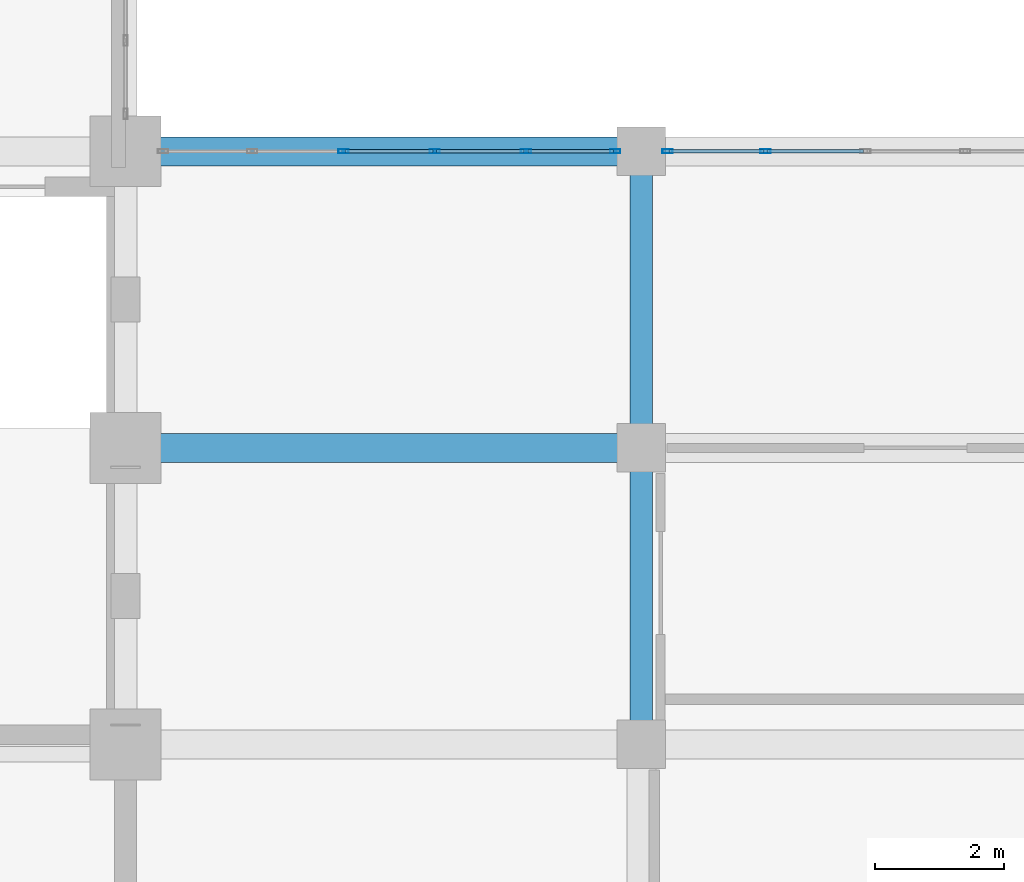
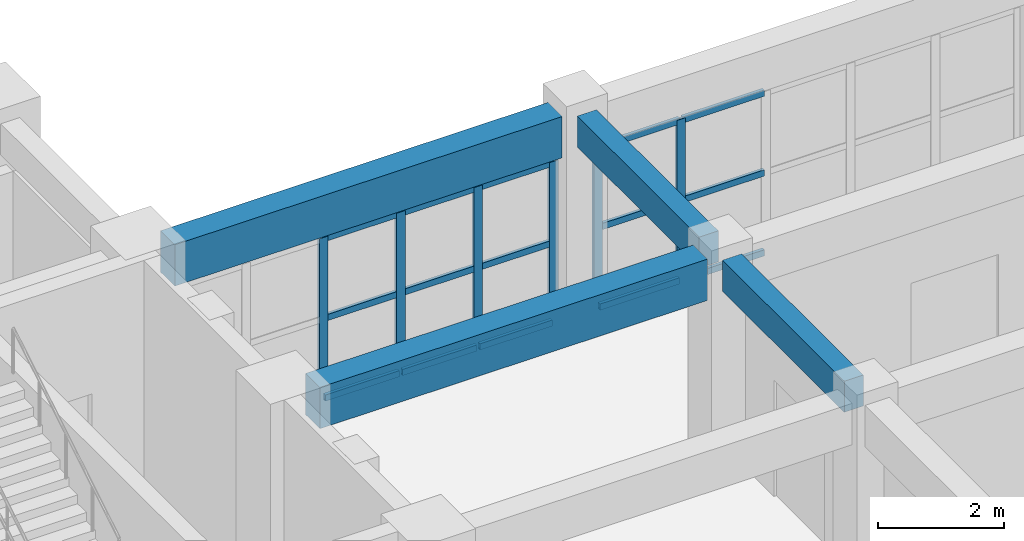
# One storey, part 35 of 90: 21 members, 4 beams, 2 elements without a shape of their own.
"""IFC4 building model written with IfcOpenShell, lengths in metres."""

from ifc_helpers import new_model, si_unit, direction, frame, origin, origin_2d, place, context, subcontext, project, spatial, rectangle, hollow_rectangle, extrude, material, layer, layer_set, material_profile, profile_set, type_object, element, aggregate, save


model = new_model("IFC4")

# Units and contexts
model_context = context("Model", 3, precision=1e-05, world=origin(), true_north=direction((0.0, 1.0)))
body_context = subcontext(model_context, "Body", "Model", "MODEL_VIEW")
ifc_project = project(units=[si_unit("LENGTHUNIT", "METRE"), si_unit("AREAUNIT", "SQUARE_METRE"), si_unit("VOLUMEUNIT", "CUBIC_METRE"), si_unit("PLANEANGLEUNIT", "RADIAN"), si_unit("MASSUNIT", "GRAM", prefix="KILO")], contexts=[model_context])

# Site, building, storey
site_placement = place(None, origin())
site = spatial("IfcSite", under=ifc_project, at=site_placement, CompositionType="ELEMENT")
building_placement = place(site_placement, origin())
building = spatial("IfcBuilding", under=site, at=building_placement, Name="Muzn Square Opera House", CompositionType="ELEMENT")
storey_placement = place(building_placement, frame((0.0, 0.0, 9.800048828125)))
storey = spatial("IfcBuildingStorey", under=building, at=storey_placement, Name="L02", CompositionType="ELEMENT", Elevation=9.800048828125)

# Curtain wall, members
ifc_material_1 = material(Name="Low-E laminated acoustic double glazing", Category="glass")
ifc_layer_1 = layer(ifc_material_1, 0.159912109375, Name="Low-E laminated acoustic double glazing", Category="glass")
ifc_layer_set_1 = layer_set([ifc_layer_1], Name="Low-E laminated acoustic double glazing")
curtain_wall_type_1 = type_object("IfcCurtainWallType", Name="Glazed Curtain Wall EastCloisterS 7075x3150", PredefinedType="USERDEFINED", material=ifc_layer_set_1)
curtain_wall_1_placement = place(storey_placement, origin())
curtain_wall_1 = element("IfcCurtainWall", 1, at=curtain_wall_1_placement, inside=storey, type_object=curtain_wall_type_1, Name="Glazed Curtain Wall CW-L02-099", ObjectType="GLAZED CURTAIN WALL", PredefinedType="USERDEFINED")
ifc_material_2 = material(Name="Anodised bronze aluminium 6063-T6", Category="metal")
ifc_material_profile_1 = material_profile(ifc_material_2, hollow_rectangle(XDim=0.06005859375, YDim=0.159912109375, WallThickness=0.00390625, at=origin_2d()), Name="ALU 160x60x4", Category="metal")
ifc_profile_set_1 = profile_set([ifc_material_profile_1], Name="Anodised bronze aluminium 6063-T6")
member_type_1 = type_object("IfcMemberType", Name="Curtain Wall Mullion 160x60", PredefinedType="MULLION", material=ifc_profile_set_1)
member_1_placement = place(storey_placement, frame((136.3798828125, 31.199951171875, 0.0), z_axis=(0.0, 0.0, 1.0), x_axis=(0.0, 1.0, 0.0)))
member_1 = element("IfcMember", 2, at=member_1_placement, type_object=member_type_1, Name="CW-ECS-70x31 mullion 3", PredefinedType="MULLION", context=body_context, shape_type="SweptSolid", body=[
    extrude(hollow_rectangle(XDim=0.06005859375, YDim=0.159912109375, WallThickness=0.00390625, at=origin_2d()), origin(), (0.0, 0.0, 1.0), 3.14990234375),
])
member_2_placement = place(storey_placement, frame((137.794921875, 31.199951171875, 0.0), z_axis=(0.0, 0.0, 1.0), x_axis=(0.0, 1.0, 0.0)))
member_2 = element("IfcMember", 3, at=member_2_placement, type_object=member_type_1, Name="CW-ECS-70x31 mullion 4", PredefinedType="MULLION", context=body_context, shape_type="SweptSolid", body=[
    extrude(hollow_rectangle(XDim=0.06005859375, YDim=0.159912109375, WallThickness=0.00390625, at=origin_2d()), origin(), (0.0, 0.0, 1.0), 3.14990234375),
])
member_3_placement = place(storey_placement, frame((139.2099609375, 31.199951171875, 0.0), z_axis=(0.0, 0.0, 1.0), x_axis=(0.0, 1.0, 0.0)))
member_3 = element("IfcMember", 4, at=member_3_placement, type_object=member_type_1, Name="CW-ECS-70x31 mullion 5", PredefinedType="MULLION", context=body_context, shape_type="SweptSolid", body=[
    extrude(hollow_rectangle(XDim=0.06005859375, YDim=0.159912109375, WallThickness=0.00390625, at=origin_2d()), origin(), (0.0, 0.0, 1.0), 3.14990234375),
])
member_4_placement = place(storey_placement, frame((140.594970703125, 31.199951171875, 0.0), z_axis=(0.0, 0.0, 1.0), x_axis=(0.0, 1.0, 0.0)))
member_4 = element("IfcMember", 5, at=member_4_placement, type_object=member_type_1, Name="CW-ECS-70x31 mullion 6", PredefinedType="MULLION", context=body_context, shape_type="SweptSolid", body=[
    extrude(hollow_rectangle(XDim=0.06005859375, YDim=0.159912109375, WallThickness=0.00390625, at=origin_2d()), origin(), (0.0, 0.0, 1.0), 3.14990234375),
])

ifc_layer_2 = layer(ifc_material_1, 0.159912109375, Name="Low-E laminated acoustic double glazing", Category="glass")
ifc_layer_set_2 = layer_set([ifc_layer_2], Name="Low-E laminated acoustic double glazing")
curtain_wall_type_2 = type_object("IfcCurtainWallType", Name="Glazed Curtain Wall EastCloisterS 7750x3150", PredefinedType="USERDEFINED", material=ifc_layer_set_2)
curtain_wall_2_placement = place(storey_placement, origin())
curtain_wall_2 = element("IfcCurtainWall", 6, at=curtain_wall_2_placement, inside=storey, type_object=curtain_wall_type_2, Name="Glazed Curtain Wall CW-L02-101", ObjectType="GLAZED CURTAIN WALL", PredefinedType="USERDEFINED")
member_5_placement = place(storey_placement, frame((141.405029296875, 31.199951171875, 0.0), z_axis=(0.0, 0.0, 1.0), x_axis=(0.0, 1.0, 0.0)))
member_5 = element("IfcMember", 7, at=member_5_placement, type_object=member_type_1, Name="CW-ECS-77x31 mullion 1", PredefinedType="MULLION", context=body_context, shape_type="SweptSolid", body=[
    extrude(hollow_rectangle(XDim=0.06005859375, YDim=0.159912109375, WallThickness=0.00390625, at=origin_2d()), origin(), (0.0, 0.0, 1.0), 3.14990234375),
])
member_6_placement = place(storey_placement, frame((142.925048828125, 31.199951171875, 0.0), z_axis=(0.0, 0.0, 1.0), x_axis=(0.0, 1.0, 0.0)))
member_6 = element("IfcMember", 8, at=member_6_placement, type_object=member_type_1, Name="CW-ECS-77x31 mullion 2", PredefinedType="MULLION", context=body_context, shape_type="SweptSolid", body=[
    extrude(hollow_rectangle(XDim=0.06005859375, YDim=0.159912109375, WallThickness=0.00390625, at=origin_2d()), origin(), (0.0, 0.0, 1.0), 3.14990234375),
])

# Member
ifc_material_profile_2 = material_profile(ifc_material_2, hollow_rectangle(XDim=0.06005859375, YDim=0.1201171875, WallThickness=0.00390625, at=origin_2d()), Name="ALU 120x60x4", Category="metal")
ifc_profile_set_2 = profile_set([ifc_material_profile_2], Name="Anodised bronze aluminium 6063-T6")
member_type_2 = type_object("IfcMemberType", Name="Curtain Wall Transom 120x60", PredefinedType="USERDEFINED", material=ifc_profile_set_2)
member_7_placement = place(storey_placement, frame((136.409912109375, 31.199951171875, 0.030029296875), z_axis=(1.0, 0.0, 0.0), x_axis=(0.0, 1.0, 0.0)))
member_7 = element("IfcMember", 9, at=member_7_placement, type_object=member_type_2, Name="CW-ECS-70x31 transom 3.1", ObjectType="TRANSOM", PredefinedType="USERDEFINED", context=body_context, shape_type="SweptSolid", body=[
    extrude(hollow_rectangle(XDim=0.06005859375, YDim=0.1201171875, WallThickness=0.00390625, at=origin_2d()), origin(), (0.0, 0.0, 1.0), 1.35498046875),
])

member_8_placement = place(storey_placement, frame((136.409912109375, 31.199951171875, 1.574951171875), z_axis=(1.0, 0.0, 0.0), x_axis=(0.0, 1.0, 0.0)))
member_8 = element("IfcMember", 10, at=member_8_placement, type_object=member_type_2, Name="CW-ECS-70x31 transom 3.2", ObjectType="TRANSOM", PredefinedType="USERDEFINED", context=body_context, shape_type="SweptSolid", body=[
    extrude(hollow_rectangle(XDim=0.06005859375, YDim=0.1201171875, WallThickness=0.00390625, at=origin_2d()), origin(), (0.0, 0.0, 1.0), 1.35498046875),
])

member_9_placement = place(storey_placement, frame((136.409912109375, 31.199951171875, 3.119873046875), z_axis=(1.0, 0.0, 0.0), x_axis=(0.0, 1.0, 0.0)))
member_9 = element("IfcMember", 11, at=member_9_placement, type_object=member_type_2, Name="CW-ECS-70x31 transom 3.3", ObjectType="TRANSOM", PredefinedType="USERDEFINED", context=body_context, shape_type="SweptSolid", body=[
    extrude(hollow_rectangle(XDim=0.06005859375, YDim=0.1201171875, WallThickness=0.00390625, at=origin_2d()), origin(), (0.0, 0.0, 1.0), 1.35498046875),
])

member_10_placement = place(storey_placement, frame((137.824951171875, 31.199951171875, 0.030029296875), z_axis=(1.0, 0.0, 0.0), x_axis=(0.0, 1.0, 0.0)))
member_10 = element("IfcMember", 12, at=member_10_placement, type_object=member_type_2, Name="CW-ECS-70x31 transom 4.1", ObjectType="TRANSOM", PredefinedType="USERDEFINED", context=body_context, shape_type="SweptSolid", body=[
    extrude(hollow_rectangle(XDim=0.06005859375, YDim=0.1201171875, WallThickness=0.00390625, at=origin_2d()), origin(), (0.0, 0.0, 1.0), 1.35498046875),
])

member_11_placement = place(storey_placement, frame((137.824951171875, 31.199951171875, 1.574951171875), z_axis=(1.0, 0.0, 0.0), x_axis=(0.0, 1.0, 0.0)))
member_11 = element("IfcMember", 13, at=member_11_placement, type_object=member_type_2, Name="CW-ECS-70x31 transom 4.2", ObjectType="TRANSOM", PredefinedType="USERDEFINED", context=body_context, shape_type="SweptSolid", body=[
    extrude(hollow_rectangle(XDim=0.06005859375, YDim=0.1201171875, WallThickness=0.00390625, at=origin_2d()), origin(), (0.0, 0.0, 1.0), 1.35498046875),
])

member_12_placement = place(storey_placement, frame((137.824951171875, 31.199951171875, 3.119873046875), z_axis=(1.0, 0.0, 0.0), x_axis=(0.0, 1.0, 0.0)))
member_12 = element("IfcMember", 14, at=member_12_placement, type_object=member_type_2, Name="CW-ECS-70x31 transom 4.3", ObjectType="TRANSOM", PredefinedType="USERDEFINED", context=body_context, shape_type="SweptSolid", body=[
    extrude(hollow_rectangle(XDim=0.06005859375, YDim=0.1201171875, WallThickness=0.00390625, at=origin_2d()), origin(), (0.0, 0.0, 1.0), 1.35498046875),
])

member_13_placement = place(storey_placement, frame((139.239990234375, 31.199951171875, 0.030029296875), z_axis=(1.0, 0.0, 0.0), x_axis=(0.0, 1.0, 0.0)))
member_13 = element("IfcMember", 15, at=member_13_placement, type_object=member_type_2, Name="CW-ECS-70x31 transom 5.1", ObjectType="TRANSOM", PredefinedType="USERDEFINED", context=body_context, shape_type="SweptSolid", body=[
    extrude(hollow_rectangle(XDim=0.06005859375, YDim=0.1201171875, WallThickness=0.00390625, at=origin_2d()), origin(), (0.0, 0.0, 1.0), 1.324951171875),
])

member_14_placement = place(storey_placement, frame((139.239990234375, 31.199951171875, 1.574951171875), z_axis=(1.0, 0.0, 0.0), x_axis=(0.0, 1.0, 0.0)))
member_14 = element("IfcMember", 16, at=member_14_placement, type_object=member_type_2, Name="CW-ECS-70x31 transom 5.2", ObjectType="TRANSOM", PredefinedType="USERDEFINED", context=body_context, shape_type="SweptSolid", body=[
    extrude(hollow_rectangle(XDim=0.06005859375, YDim=0.1201171875, WallThickness=0.00390625, at=origin_2d()), origin(), (0.0, 0.0, 1.0), 1.324951171875),
])

member_15_placement = place(storey_placement, frame((139.239990234375, 31.199951171875, 3.119873046875), z_axis=(1.0, 0.0, 0.0), x_axis=(0.0, 1.0, 0.0)))
member_15 = element("IfcMember", 17, at=member_15_placement, type_object=member_type_2, Name="CW-ECS-70x31 transom 5.3", ObjectType="TRANSOM", PredefinedType="USERDEFINED", context=body_context, shape_type="SweptSolid", body=[
    extrude(hollow_rectangle(XDim=0.06005859375, YDim=0.1201171875, WallThickness=0.00390625, at=origin_2d()), origin(), (0.0, 0.0, 1.0), 1.324951171875),
])

aggregate(curtain_wall_1, [member_1, member_2, member_3, member_4, member_7, member_8, member_9, member_10, member_11, member_12, member_13, member_14, member_15])

member_16_placement = place(storey_placement, frame((141.43505859375, 31.199951171875, 0.030029296875), z_axis=(1.0, 0.0, 0.0), x_axis=(0.0, 1.0, 0.0)))
member_16 = element("IfcMember", 18, at=member_16_placement, type_object=member_type_2, Name="CW-ECS-77x31 transom 1.1", ObjectType="TRANSOM", PredefinedType="USERDEFINED", context=body_context, shape_type="SweptSolid", body=[
    extrude(hollow_rectangle(XDim=0.06005859375, YDim=0.1201171875, WallThickness=0.00390625, at=origin_2d()), origin(), (0.0, 0.0, 1.0), 1.4599609375),
])

member_17_placement = place(storey_placement, frame((141.43505859375, 31.199951171875, 1.574951171875), z_axis=(1.0, 0.0, 0.0), x_axis=(0.0, 1.0, 0.0)))
member_17 = element("IfcMember", 19, at=member_17_placement, type_object=member_type_2, Name="CW-ECS-77x31 transom 1.2", ObjectType="TRANSOM", PredefinedType="USERDEFINED", context=body_context, shape_type="SweptSolid", body=[
    extrude(hollow_rectangle(XDim=0.06005859375, YDim=0.1201171875, WallThickness=0.00390625, at=origin_2d()), origin(), (0.0, 0.0, 1.0), 1.4599609375),
])

member_18_placement = place(storey_placement, frame((141.43505859375, 31.199951171875, 3.119873046875), z_axis=(1.0, 0.0, 0.0), x_axis=(0.0, 1.0, 0.0)))
member_18 = element("IfcMember", 20, at=member_18_placement, type_object=member_type_2, Name="CW-ECS-77x31 transom 1.3", ObjectType="TRANSOM", PredefinedType="USERDEFINED", context=body_context, shape_type="SweptSolid", body=[
    extrude(hollow_rectangle(XDim=0.06005859375, YDim=0.1201171875, WallThickness=0.00390625, at=origin_2d()), origin(), (0.0, 0.0, 1.0), 1.4599609375),
])

member_19_placement = place(storey_placement, frame((142.955078125, 31.199951171875, 0.030029296875), z_axis=(1.0, 0.0, 0.0), x_axis=(0.0, 1.0, 0.0)))
member_19 = element("IfcMember", 21, at=member_19_placement, type_object=member_type_2, Name="CW-ECS-77x31 transom 2.1", ObjectType="TRANSOM", PredefinedType="USERDEFINED", context=body_context, shape_type="SweptSolid", body=[
    extrude(hollow_rectangle(XDim=0.06005859375, YDim=0.1201171875, WallThickness=0.00390625, at=origin_2d()), origin(), (0.0, 0.0, 1.0), 1.489990234375),
])

member_20_placement = place(storey_placement, frame((142.955078125, 31.199951171875, 1.574951171875), z_axis=(1.0, 0.0, 0.0), x_axis=(0.0, 1.0, 0.0)))
member_20 = element("IfcMember", 22, at=member_20_placement, type_object=member_type_2, Name="CW-ECS-77x31 transom 2.2", ObjectType="TRANSOM", PredefinedType="USERDEFINED", context=body_context, shape_type="SweptSolid", body=[
    extrude(hollow_rectangle(XDim=0.06005859375, YDim=0.1201171875, WallThickness=0.00390625, at=origin_2d()), origin(), (0.0, 0.0, 1.0), 1.489990234375),
])

member_21_placement = place(storey_placement, frame((142.955078125, 31.199951171875, 3.119873046875), z_axis=(1.0, 0.0, 0.0), x_axis=(0.0, 1.0, 0.0)))
member_21 = element("IfcMember", 23, at=member_21_placement, type_object=member_type_2, Name="CW-ECS-77x31 transom 2.3", ObjectType="TRANSOM", PredefinedType="USERDEFINED", context=body_context, shape_type="SweptSolid", body=[
    extrude(hollow_rectangle(XDim=0.06005859375, YDim=0.1201171875, WallThickness=0.00390625, at=origin_2d()), origin(), (0.0, 0.0, 1.0), 1.489990234375),
])

aggregate(curtain_wall_2, [member_5, member_6, member_16, member_17, member_18, member_19, member_20, member_21])

# Beams
ifc_material_3 = material(Name="Concrete C40/50", Category="concrete")
ifc_material_profile_3 = material_profile(ifc_material_3, rectangle(XDim=0.35009765625, YDim=0.60009765625, at=origin_2d()), Name="RCB 350x600", Category="concrete")
ifc_profile_set_3 = profile_set([ifc_material_profile_3], Name="Concrete C40/50")
beam_type_1 = type_object("IfcBeamType", Name="Primary Girder 350x600", PredefinedType="BEAM", material=ifc_profile_set_3)
for number, where, z_axis, x_axis, name in (
    (24, (141.0, 22.366943359375, 3.849853515625), (0.0, 1.0, 0.0), (-1.0, 0.0, 0.0), "Primary Girder BM-L02-BM-PG600-1410_224_1410_262-2261"),
    (25, (141.0, 26.967041015625, 3.849853515625), (0.0, 1.0, 0.0), (-1.0, 0.0, 0.0), "Primary Girder BM-L02-BM-PG600-1410_270_1410_308-2262"),
):
    element("IfcBeam", number, at=place(storey_placement, frame(where, z_axis=z_axis, x_axis=x_axis)), inside=storey, type_object=beam_type_1, Name=name, PredefinedType="BEAM", context=body_context, shape_type="SweptSolid", body=[
        extrude(rectangle(XDim=0.35009765625, YDim=0.60009765625, at=origin_2d()), origin(), (0.0, 0.0, 1.0), 3.865966796875),
    ])
ifc_material_profile_4 = material_profile(ifc_material_3, rectangle(XDim=0.449951171875, YDim=0.800048828125, at=origin_2d()), Name="RCB 450x800", Category="concrete")
ifc_profile_set_4 = profile_set([ifc_material_profile_4], Name="Concrete C40/50")
beam_type_2 = type_object("IfcBeamType", Name="Primary Girder 450x800", PredefinedType="BEAM", material=ifc_profile_set_4)
for number, where, z_axis, x_axis, name in (
    (26, (133.5419921875, 26.60009765625, 3.75), (1.0, 0.0, 0.0), (0.0, 1.0, 0.0), "Primary Girder BM-L02-BM-PG800-1335_266_1406_266-1974"),
    (27, (133.5419921875, 31.199951171875, 3.719970703125), (1.0, 0.0, 0.0), (0.0, 1.0, 0.0), "Primary Girder BM-L02-BM-PG800-1335_312_1406_312-1993"),
):
    element("IfcBeam", number, at=place(storey_placement, frame(where, z_axis=z_axis, x_axis=x_axis)), inside=storey, type_object=beam_type_2, Name=name, PredefinedType="BEAM", context=body_context, shape_type="SweptSolid", body=[
        extrude(rectangle(XDim=0.449951171875, YDim=0.800048828125, at=origin_2d()), origin(), (0.0, 0.0, 1.0), 7.091064453125),
    ])

save(model, "model.ifc")
